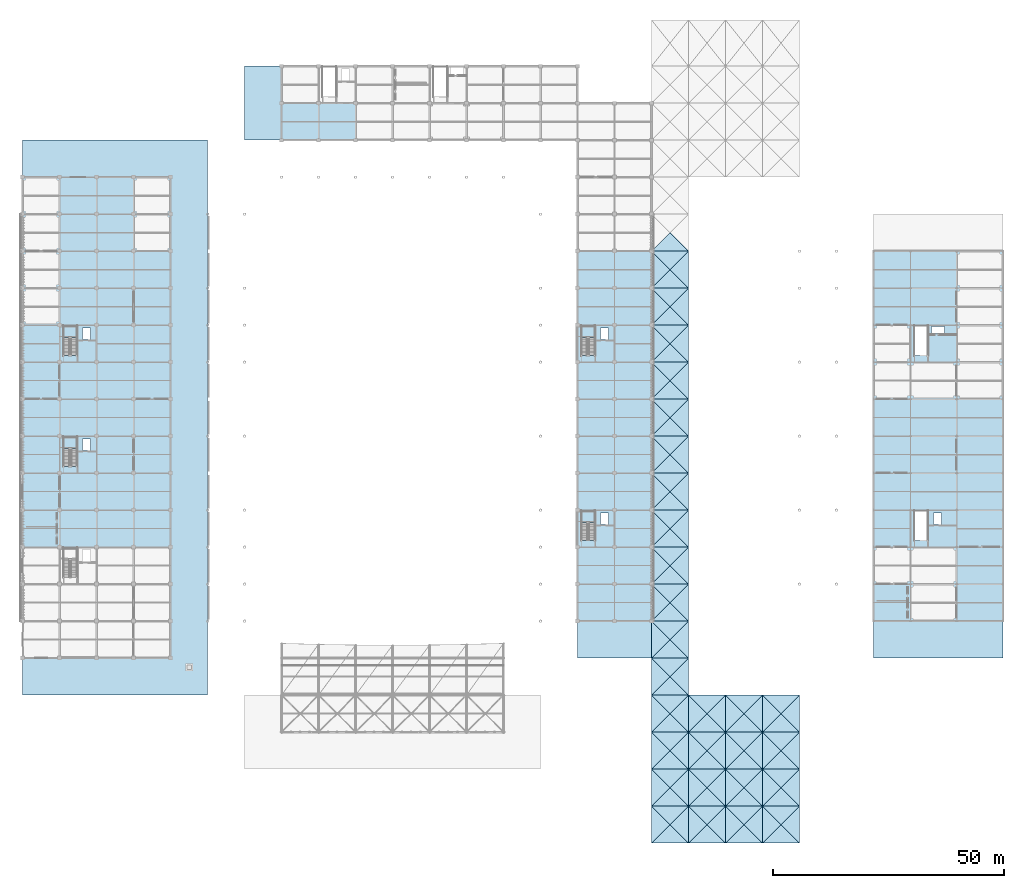
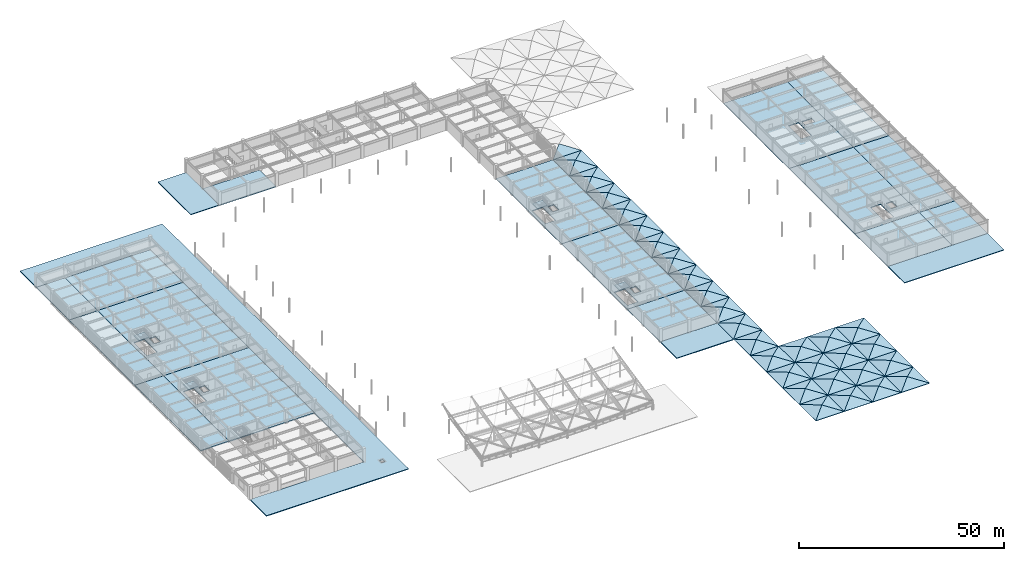
# One storey, part 44 of 78: 137 slabs, 4 elements without a shape of their own.
"""IFC4 building model written with IfcOpenShell, lengths in metres."""

from ifc_helpers import new_model, si_unit, direction, frame, origin, place, context, subcontext, project, spatial, polyline, outline, extrude, material, layer, layer_set, type_object, element, aggregate, save


model = new_model("IFC4")

# Units and contexts
model_context = context("Model", 3, precision=1e-05, world=origin(), true_north=direction((0.0, 1.0)))
body_context = subcontext(model_context, "Body", "Model", "MODEL_VIEW")
ifc_project = project(units=[si_unit("LENGTHUNIT", "METRE"), si_unit("AREAUNIT", "SQUARE_METRE"), si_unit("VOLUMEUNIT", "CUBIC_METRE"), si_unit("PLANEANGLEUNIT", "RADIAN"), si_unit("MASSUNIT", "GRAM", prefix="KILO")], contexts=[model_context])

# Site, building, storey
site_placement = place(None, origin())
site = spatial("IfcSite", under=ifc_project, at=site_placement, CompositionType="ELEMENT")
building_placement = place(site_placement, origin())
building = spatial("IfcBuilding", under=site, at=building_placement, Name="Haebicheon Civic Stadium", CompositionType="ELEMENT")
storey_placement = place(building_placement, frame((0.0, 0.0, 18.60009765625)))
storey = spatial("IfcBuildingStorey", under=building, at=storey_placement, Name="L05", CompositionType="ELEMENT", Elevation=18.60009765625)

# Slabs
ifc_material_1 = material(Name="Concrete C40/50", Category="concrete")
ifc_layer_1 = layer(ifc_material_1, 0.260009765625, Name="Concrete C40/50")
ifc_layer_set_1 = layer_set([ifc_layer_1], Name="Concrete C40/50")
slab_type_1 = type_object("IfcSlabType", Name="SLB-FLR-260", PredefinedType="FLOOR", material=ifc_layer_set_1)
slab_1_placement = place(storey_placement, frame((0.0, 0.0, -0.260009765625)))
element("IfcSlab", 1, at=slab_1_placement, inside=storey, type_object=slab_type_1, material=ifc_layer_set_1, Name="L05 V1 structural slab 2.1", PredefinedType="FLOOR", context=body_context, shape_type="SweptSolid", body=[
    extrude(outline(polyline([(24.0, 64.0), (24.0, 72.0), (24.0, 80.0), (24.0, 88.0), (24.0, 96.0), (32.0, 96.0), (32.0, 88.0), (32.0, 80.0), (32.0, 72.0), (32.0, 64.0), (24.0, 64.0)])), origin(), (0.0, 0.0, 1.0), 0.260009765625),
])
slab_2_placement = place(storey_placement, frame((0.0, 0.0, -0.260009765625)))
element("IfcSlab", 2, at=slab_2_placement, inside=storey, type_object=slab_type_1, material=ifc_layer_set_1, Name="L05 V1 structural slab 3.1", PredefinedType="FLOOR", context=body_context, shape_type="SweptSolid", body=[
    extrude(outline(polyline([(24.0, 96.0), (24.0, 104.0), (24.0, 112.0), (24.0, 120.0), (24.0, 128.0), (32.0, 128.0), (32.0, 120.0), (32.0, 112.0), (32.0, 104.0), (32.0, 96.0), (24.0, 96.0)])), origin(), (0.0, 0.0, 1.0), 0.260009765625),
])
slab_3_placement = place(storey_placement, frame((0.0, 0.0, -0.260009765625)))
element("IfcSlab", 3, at=slab_3_placement, inside=storey, type_object=slab_type_1, material=ifc_layer_set_1, Name="L05 V1 structural slab 4.1", PredefinedType="FLOOR", context=body_context, shape_type="SweptSolid", body=[
    extrude(outline(polyline([(32.0, 128.0), (24.0, 128.0), (24.0, 136.0), (24.0, 144.0), (32.0, 144.0), (32.0, 136.0), (32.0, 128.0)])), origin(), (0.0, 0.0, 1.0), 0.260009765625),
])
slab_4_placement = place(storey_placement, frame((0.0, 0.0, -0.260009765625)))
element("IfcSlab", 4, at=slab_4_placement, inside=storey, type_object=slab_type_1, material=ifc_layer_set_1, Name="L05 V1 structural slab 6.1", PredefinedType="FLOOR", context=body_context, shape_type="SweptSolid", body=[
    extrude(outline(polyline([(32.0, 80.0), (32.0, 88.0), (32.0, 96.0), (40.0, 96.0), (48.0, 96.0), (56.0, 96.0), (56.0, 88.0), (56.0, 80.0), (56.0, 72.0), (56.0, 64.0), (48.0, 64.0), (40.0, 64.0), (32.0, 64.0), (32.0, 72.0), (32.0, 80.0)]), holes=[polyline([(32.840087890625, 81.4599609375), (35.739990234375, 81.4599609375), (35.739990234375, 87.840087890625), (32.840087890625, 87.840087890625), (32.840087890625, 81.4599609375)]), polyline([(36.969970703125, 84.929931640625), (38.669921875, 84.929931640625), (38.669921875, 87.429931640625), (36.969970703125, 87.429931640625), (36.969970703125, 84.929931640625)])]), origin(), (0.0, 0.0, 1.0), 0.260009765625),
])
slab_5_placement = place(storey_placement, frame((0.0, 0.0, -0.260009765625)))
element("IfcSlab", 5, at=slab_5_placement, inside=storey, type_object=slab_type_1, material=ifc_layer_set_1, Name="L05 V1 structural slab 7.1", PredefinedType="FLOOR", context=body_context, shape_type="SweptSolid", body=[
    extrude(outline(polyline([(32.0, 112.0), (32.0, 120.0), (32.0, 128.0), (40.0, 128.0), (48.0, 128.0), (56.0, 128.0), (56.0, 120.0), (56.0, 112.0), (56.0, 104.0), (56.0, 96.0), (48.0, 96.0), (40.0, 96.0), (32.0, 96.0), (32.0, 104.0), (32.0, 112.0)]), holes=[polyline([(32.840087890625, 105.4599609375), (35.739990234375, 105.4599609375), (35.739990234375, 111.840087890625), (32.840087890625, 111.840087890625), (32.840087890625, 105.4599609375)]), polyline([(36.969970703125, 108.929931640625), (38.669921875, 108.929931640625), (38.669921875, 111.429931640625), (36.969970703125, 111.429931640625), (36.969970703125, 108.929931640625)])]), origin(), (0.0, 0.0, 1.0), 0.260009765625),
])
slab_6_placement = place(storey_placement, frame((0.0, 0.0, -0.260009765625)))
element("IfcSlab", 6, at=slab_6_placement, inside=storey, type_object=slab_type_1, material=ifc_layer_set_1, Name="L05 V1 structural slab 8.1", PredefinedType="FLOOR", context=body_context, shape_type="SweptSolid", body=[
    extrude(outline(polyline([(32.0, 136.0), (32.0, 144.0), (40.0, 144.0), (48.0, 144.0), (56.0, 144.0), (56.0, 136.0), (56.0, 128.0), (48.0, 128.0), (40.0, 128.0), (32.0, 128.0), (32.0, 136.0)])), origin(), (0.0, 0.0, 1.0), 0.260009765625),
])
slab_7_placement = place(storey_placement, frame((0.0, 0.0, -0.260009765625)))
element("IfcSlab", 7, at=slab_7_placement, inside=storey, type_object=slab_type_1, material=ifc_layer_set_1, Name="L05 V2 structural slab 1.1", PredefinedType="FLOOR", context=body_context, shape_type="SweptSolid", body=[
    extrude(outline(polyline([(80.0, 152.0), (80.0, 160.0), (88.0, 160.0), (96.0, 160.0), (96.0, 152.0), (88.0, 152.0), (80.0, 152.0)])), origin(), (0.0, 0.0, 1.0), 0.260009765625),
])
slab_8_placement = place(storey_placement, frame((0.0, 0.0, -0.260009765625)))
element("IfcSlab", 8, at=slab_8_placement, inside=storey, type_object=slab_type_1, material=ifc_layer_set_1, Name="L05 V2 structural slab 5.1", PredefinedType="FLOOR", context=body_context, shape_type="SweptSolid", body=[
    extrude(outline(polyline([(144.0, 56.0), (144.0, 64.0), (152.0, 64.0), (160.0, 64.0), (160.0, 56.0), (160.0, 48.0), (152.0, 48.0), (144.0, 48.0), (144.0, 56.0)])), origin(), (0.0, 0.0, 1.0), 0.260009765625),
])
slab_9_placement = place(storey_placement, frame((0.0, 0.0, -0.260009765625)))
element("IfcSlab", 9, at=slab_9_placement, inside=storey, type_object=slab_type_1, material=ifc_layer_set_1, Name="L05 V2 structural slab 6.1", PredefinedType="FLOOR", context=body_context, shape_type="SweptSolid", body=[
    extrude(outline(polyline([(144.0, 80.0), (144.0, 88.0), (144.0, 96.0), (152.0, 96.0), (160.0, 96.0), (160.0, 88.0), (160.0, 80.0), (160.0, 72.0), (160.0, 64.0), (152.0, 64.0), (144.0, 64.0), (144.0, 72.0), (144.0, 80.0)]), holes=[polyline([(144.840087890625, 65.4599609375), (147.739990234375, 65.4599609375), (147.739990234375, 71.840087890625), (144.840087890625, 71.840087890625), (144.840087890625, 65.4599609375)]), polyline([(148.969970703125, 68.929931640625), (150.669921875, 68.929931640625), (150.669921875, 71.429931640625), (148.969970703125, 71.429931640625), (148.969970703125, 68.929931640625)])]), origin(), (0.0, 0.0, 1.0), 0.260009765625),
])
slab_10_placement = place(storey_placement, frame((0.0, 0.0, -0.260009765625)))
element("IfcSlab", 10, at=slab_10_placement, inside=storey, type_object=slab_type_1, material=ifc_layer_set_1, Name="L05 V2 structural slab 7.1", PredefinedType="FLOOR", context=body_context, shape_type="SweptSolid", body=[
    extrude(outline(polyline([(144.0, 112.0), (144.0, 120.0), (144.0, 128.0), (152.0, 128.0), (160.0, 128.0), (160.0, 120.0), (160.0, 112.0), (160.0, 104.0), (160.0, 96.0), (152.0, 96.0), (144.0, 96.0), (144.0, 104.0), (144.0, 112.0)]), holes=[polyline([(144.840087890625, 105.4599609375), (147.739990234375, 105.4599609375), (147.739990234375, 111.840087890625), (144.840087890625, 111.840087890625), (144.840087890625, 105.4599609375)]), polyline([(148.969970703125, 108.929931640625), (150.669921875, 108.929931640625), (150.669921875, 111.429931640625), (148.969970703125, 111.429931640625), (148.969970703125, 108.929931640625)])]), origin(), (0.0, 0.0, 1.0), 0.260009765625),
])
slab_11_placement = place(storey_placement, frame((0.0, 0.0, -0.260009765625)))
element("IfcSlab", 11, at=slab_11_placement, inside=storey, type_object=slab_type_1, material=ifc_layer_set_1, Name="L05 V3 structural slab 1.1", PredefinedType="FLOOR", context=body_context, shape_type="SweptSolid", body=[
    extrude(outline(polyline([(208.0, 56.0), (208.0, 64.0), (216.0, 64.0), (226.0, 64.0), (226.0, 56.0), (226.0, 48.0), (216.0, 48.0), (208.0, 48.0), (208.0, 56.0)])), origin(), (0.0, 0.0, 1.0), 0.260009765625),
])
slab_12_placement = place(storey_placement, frame((0.0, 0.0, -0.260009765625)))
element("IfcSlab", 12, at=slab_12_placement, inside=storey, type_object=slab_type_1, material=ifc_layer_set_1, Name="L05 V3 structural slab 2.1", PredefinedType="FLOOR", context=body_context, shape_type="SweptSolid", body=[
    extrude(outline(polyline([(208.0, 80.0), (208.0, 88.0), (208.0, 96.0), (216.0, 96.0), (226.0, 96.0), (226.0, 88.0), (226.0, 80.0), (226.0, 72.0), (226.0, 64.0), (216.0, 64.0), (208.0, 64.0), (208.0, 72.0), (208.0, 80.0)]), holes=[polyline([(216.840087890625, 65.4599609375), (219.739990234375, 65.4599609375), (219.739990234375, 71.840087890625), (216.840087890625, 71.840087890625), (216.840087890625, 65.4599609375)]), polyline([(220.969970703125, 68.929931640625), (222.669921875, 68.929931640625), (222.669921875, 71.429931640625), (220.969970703125, 71.429931640625), (220.969970703125, 68.929931640625)])]), origin(), (0.0, 0.0, 1.0), 0.260009765625),
])
slab_13_placement = place(storey_placement, frame((0.0, 0.0, -0.260009765625)))
element("IfcSlab", 13, at=slab_13_placement, inside=storey, type_object=slab_type_1, material=ifc_layer_set_1, Name="L05 V3 structural slab 3.1", PredefinedType="FLOOR", context=body_context, shape_type="SweptSolid", body=[
    extrude(outline(polyline([(208.0, 112.0), (208.0, 120.0), (208.0, 128.0), (216.0, 128.0), (226.0, 128.0), (226.0, 120.0), (226.0, 112.0), (226.0, 104.0), (226.0, 96.0), (216.0, 96.0), (208.0, 96.0), (208.0, 104.0), (208.0, 112.0)]), holes=[polyline([(216.840087890625, 105.4599609375), (219.739990234375, 105.4599609375), (219.739990234375, 111.840087890625), (216.840087890625, 111.840087890625), (216.840087890625, 105.4599609375)]), polyline([(220.550048828125, 110.14990234375), (223.35009765625, 110.14990234375), (223.35009765625, 111.75), (220.550048828125, 111.75), (220.550048828125, 110.14990234375)])]), origin(), (0.0, 0.0, 1.0), 0.260009765625),
])
slab_14_placement = place(storey_placement, frame((0.0, 0.0, -0.260009765625)))
element("IfcSlab", 14, at=slab_14_placement, inside=storey, type_object=slab_type_1, material=ifc_layer_set_1, Name="L05 V3 structural slab 4.1", PredefinedType="FLOOR", context=body_context, shape_type="SweptSolid", body=[
    extrude(outline(polyline([(236.0, 48.0), (226.0, 48.0), (226.0, 56.0), (226.0, 64.0), (236.0, 64.0), (236.0, 56.0), (236.0, 48.0)])), origin(), (0.0, 0.0, 1.0), 0.260009765625),
])
slab_15_placement = place(storey_placement, frame((0.0, 0.0, -0.260009765625)))
element("IfcSlab", 15, at=slab_15_placement, inside=storey, type_object=slab_type_1, material=ifc_layer_set_1, Name="L05 V3 structural slab 5.1", PredefinedType="FLOOR", context=body_context, shape_type="SweptSolid", body=[
    extrude(outline(polyline([(226.0, 64.0), (226.0, 72.0), (226.0, 80.0), (226.0, 88.0), (226.0, 96.0), (236.0, 96.0), (236.0, 88.0), (236.0, 80.0), (236.0, 72.0), (236.0, 64.0), (226.0, 64.0)])), origin(), (0.0, 0.0, 1.0), 0.260009765625),
])
slab_16_placement = place(storey_placement, frame((0.0, 0.0, -0.260009765625)))
element("IfcSlab", 16, at=slab_16_placement, inside=storey, type_object=slab_type_1, material=ifc_layer_set_1, Name="L05 V3 structural slab 6.1", PredefinedType="FLOOR", context=body_context, shape_type="SweptSolid", body=[
    extrude(outline(polyline([(226.0, 96.0), (226.0, 104.0), (226.0, 112.0), (226.0, 120.0), (226.0, 128.0), (236.0, 128.0), (236.0, 120.0), (236.0, 112.0), (236.0, 104.0), (236.0, 96.0), (226.0, 96.0)])), origin(), (0.0, 0.0, 1.0), 0.260009765625),
])

# Stair, slab
ifc_material_2 = material(Name="Concrete C40/50", Category="concrete")
stair_type_1 = type_object("IfcStairType", Name="STR-DL-W126-H42", PredefinedType="HALF_TURN_STAIR", material=ifc_material_2)
stair_1_placement = place(storey_placement, origin())
stair_1 = element("IfcStair", 17, at=stair_1_placement, inside=storey, type_object=stair_type_1, material=ifc_material_2, Name="L05 Escape stair ST-03", PredefinedType="HALF_TURN_STAIR")
ifc_material_3 = material(Name="Concrete C40/50", Category="concrete")
ifc_layer_2 = layer(ifc_material_3, 0.199951171875, Name="Concrete C40/50")
ifc_layer_set_2 = layer_set([ifc_layer_2], Name="Concrete C40/50")
slab_type_2 = type_object("IfcSlabType", Name="SLB-LND-200", PredefinedType="LANDING", material=ifc_layer_set_2)
slab_17_placement = place(storey_placement, frame((0.0, 0.0, 1.89990234375)))
slab_17 = element("IfcSlab", 18, at=slab_17_placement, type_object=slab_type_2, material=ifc_layer_set_2, Name="ST-03 landing 1", PredefinedType="LANDING", context=body_context, shape_type="SweptSolid", body=[
    extrude(outline(polyline([(35.739990234375, 85.35009765625), (35.739990234375, 87.840087890625), (32.840087890625, 87.840087890625), (32.840087890625, 85.35009765625), (35.739990234375, 85.35009765625)])), origin(), (0.0, 0.0, 1.0), 0.199951171875),
])
aggregate(stair_1, [slab_17])

ifc_material_4 = material(Name="Concrete C40/50", Category="concrete")
stair_type_2 = type_object("IfcStairType", Name="STR-DL-W128-H42", PredefinedType="HALF_TURN_STAIR", material=ifc_material_4)
stair_2_placement = place(storey_placement, origin())
stair_2 = element("IfcStair", 19, at=stair_2_placement, inside=storey, type_object=stair_type_2, material=ifc_material_4, Name="L05 Escape stair ST-04", PredefinedType="HALF_TURN_STAIR")
slab_18_placement = place(storey_placement, frame((0.0, 0.0, 1.89990234375)))
slab_18 = element("IfcSlab", 20, at=slab_18_placement, type_object=slab_type_2, material=ifc_layer_set_2, Name="ST-04 landing 1", PredefinedType="LANDING", context=body_context, shape_type="SweptSolid", body=[
    extrude(outline(polyline([(35.739990234375, 109.35009765625), (35.739990234375, 111.840087890625), (32.840087890625, 111.840087890625), (32.840087890625, 109.35009765625), (35.739990234375, 109.35009765625)])), origin(), (0.0, 0.0, 1.0), 0.199951171875),
])
aggregate(stair_2, [slab_18])

stair_3_placement = place(storey_placement, origin())
stair_3 = element("IfcStair", 21, at=stair_3_placement, inside=storey, type_object=stair_type_2, material=ifc_material_4, Name="L05 Escape stair ST-10", PredefinedType="HALF_TURN_STAIR")
slab_19_placement = place(storey_placement, frame((0.0, 0.0, 1.89990234375)))
slab_19 = element("IfcSlab", 22, at=slab_19_placement, type_object=slab_type_2, material=ifc_layer_set_2, Name="ST-10 landing 1", PredefinedType="LANDING", context=body_context, shape_type="SweptSolid", body=[
    extrude(outline(polyline([(147.739990234375, 69.35009765625), (147.739990234375, 71.840087890625), (144.840087890625, 71.840087890625), (144.840087890625, 69.35009765625), (147.739990234375, 69.35009765625)])), origin(), (0.0, 0.0, 1.0), 0.199951171875),
])
aggregate(stair_3, [slab_19])

stair_4_placement = place(storey_placement, origin())
stair_4 = element("IfcStair", 23, at=stair_4_placement, inside=storey, type_object=stair_type_1, material=ifc_material_2, Name="L05 Escape stair ST-11", PredefinedType="HALF_TURN_STAIR")
slab_20_placement = place(storey_placement, frame((0.0, 0.0, 1.89990234375)))
slab_20 = element("IfcSlab", 24, at=slab_20_placement, type_object=slab_type_2, material=ifc_layer_set_2, Name="ST-11 landing 1", PredefinedType="LANDING", context=body_context, shape_type="SweptSolid", body=[
    extrude(outline(polyline([(147.739990234375, 109.35009765625), (147.739990234375, 111.840087890625), (144.840087890625, 111.840087890625), (144.840087890625, 109.35009765625), (147.739990234375, 109.35009765625)])), origin(), (0.0, 0.0, 1.0), 0.199951171875),
])
aggregate(stair_4, [slab_20])

# Slabs
ifc_material_5 = material(Name="Precast concrete C40/50", Category="concrete")
ifc_layer_3 = layer(ifc_material_5, 0.169921875, Name="Precast concrete C40/50")
ifc_layer_set_3 = layer_set([ifc_layer_3], Name="Precast concrete C40/50")
slab_type_3 = type_object("IfcSlabType", Name="SLB-ROOF-170", PredefinedType="ROOF", material=ifc_layer_set_3)
for number, where, z_axis, x_axis, name in (
    (25, (160.0, 0.0, 0.02001953125), (0.0, -0.21948952406, 0.97561485681), (1.0, 0.0, 0.0), "L05 V4 folded shell roof facet 1.S"),
    (26, (168.0, 0.0, 0.02001953125), (0.21948952406, 0.0, 0.97561485681), (0.0, 1.0, 0.0), "L05 V4 folded shell roof facet 1.E"),
    (27, (168.0, 8.0, 0.02001953125), (0.0, 0.21948952406, 0.97561485681), (-1.0, 0.0, 0.0), "L05 V4 folded shell roof facet 1.N"),
    (28, (160.0, 8.0, 0.02001953125), (-0.21948952406, 0.0, 0.97561485681), (0.0, -1.0, 0.0), "L05 V4 folded shell roof facet 1.W"),
    (29, (160.0, 8.0, 0.02001953125), (0.0, -0.21948952406, 0.97561485681), (1.0, 0.0, 0.0), "L05 V4 folded shell roof facet 2.S"),
    (30, (168.0, 8.0, 0.02001953125), (0.21948952406, 0.0, 0.97561485681), (0.0, 1.0, 0.0), "L05 V4 folded shell roof facet 2.E"),
    (31, (168.0, 16.0, 0.02001953125), (0.0, 0.21948952406, 0.97561485681), (-1.0, 0.0, 0.0), "L05 V4 folded shell roof facet 2.N"),
    (32, (160.0, 16.0, 0.02001953125), (-0.21948952406, 0.0, 0.97561485681), (0.0, -1.0, 0.0), "L05 V4 folded shell roof facet 2.W"),
    (33, (160.0, 16.0, 0.02001953125), (0.0, -0.21948952406, 0.97561485681), (1.0, 0.0, 0.0), "L05 V4 folded shell roof facet 3.S"),
    (34, (168.0, 16.0, 0.02001953125), (0.21948952406, 0.0, 0.97561485681), (0.0, 1.0, 0.0), "L05 V4 folded shell roof facet 3.E"),
    (35, (168.0, 24.0, 0.02001953125), (0.0, 0.21948952406, 0.97561485681), (-1.0, 0.0, 0.0), "L05 V4 folded shell roof facet 3.N"),
    (36, (160.0, 24.0, 0.02001953125), (-0.21948952406, 0.0, 0.97561485681), (0.0, -1.0, 0.0), "L05 V4 folded shell roof facet 3.W"),
    (37, (160.0, 24.0, 0.02001953125), (0.0, -0.21948952406, 0.97561485681), (1.0, 0.0, 0.0), "L05 V4 folded shell roof facet 4.S"),
    (38, (168.0, 24.0, 0.02001953125), (0.21948952406, 0.0, 0.97561485681), (0.0, 1.0, 0.0), "L05 V4 folded shell roof facet 4.E"),
    (39, (168.0, 32.0, 0.02001953125), (0.0, 0.21948952406, 0.97561485681), (-1.0, 0.0, 0.0), "L05 V4 folded shell roof facet 4.N"),
    (40, (160.0, 32.0, 0.02001953125), (-0.21948952406, 0.0, 0.97561485681), (0.0, -1.0, 0.0), "L05 V4 folded shell roof facet 4.W"),
    (41, (160.0, 32.0, 0.02001953125), (0.0, -0.21948952406, 0.97561485681), (1.0, 0.0, 0.0), "L05 V4 folded shell roof facet 5.S"),
    (42, (168.0, 32.0, 0.02001953125), (0.21948952406, 0.0, 0.97561485681), (0.0, 1.0, 0.0), "L05 V4 folded shell roof facet 5.E"),
    (43, (168.0, 40.0, 0.02001953125), (0.0, 0.21948952406, 0.97561485681), (-1.0, 0.0, 0.0), "L05 V4 folded shell roof facet 5.N"),
    (44, (160.0, 40.0, 0.02001953125), (-0.21948952406, 0.0, 0.97561485681), (0.0, -1.0, 0.0), "L05 V4 folded shell roof facet 5.W"),
    (45, (160.0, 40.0, 0.02001953125), (0.0, -0.21948952406, 0.97561485681), (1.0, 0.0, 0.0), "L05 V4 folded shell roof facet 6.S"),
    (46, (168.0, 40.0, 0.02001953125), (0.21948952406, 0.0, 0.97561485681), (0.0, 1.0, 0.0), "L05 V4 folded shell roof facet 6.E"),
    (47, (168.0, 48.0, 0.02001953125), (0.0, 0.21948952406, 0.97561485681), (-1.0, 0.0, 0.0), "L05 V4 folded shell roof facet 6.N"),
    (48, (160.0, 48.0, 0.02001953125), (-0.21948952406, 0.0, 0.97561485681), (0.0, -1.0, 0.0), "L05 V4 folded shell roof facet 6.W"),
    (49, (160.0, 48.0, 0.02001953125), (0.0, -0.21948952406, 0.97561485681), (1.0, 0.0, 0.0), "L05 V4 folded shell roof facet 7.S"),
    (50, (168.0, 48.0, 0.02001953125), (0.21948952406, 0.0, 0.97561485681), (0.0, 1.0, 0.0), "L05 V4 folded shell roof facet 7.E"),
    (51, (168.0, 56.0, 0.02001953125), (0.0, 0.21948952406, 0.97561485681), (-1.0, 0.0, 0.0), "L05 V4 folded shell roof facet 7.N"),
    (52, (160.0, 56.0, 0.02001953125), (-0.21948952406, 0.0, 0.97561485681), (0.0, -1.0, 0.0), "L05 V4 folded shell roof facet 7.W"),
    (53, (160.0, 56.0, 0.02001953125), (0.0, -0.21948952406, 0.97561485681), (1.0, 0.0, 0.0), "L05 V4 folded shell roof facet 8.S"),
    (54, (168.0, 56.0, 0.02001953125), (0.21948952406, 0.0, 0.97561485681), (0.0, 1.0, 0.0), "L05 V4 folded shell roof facet 8.E"),
    (55, (168.0, 64.0, 0.02001953125), (0.0, 0.21948952406, 0.97561485681), (-1.0, 0.0, 0.0), "L05 V4 folded shell roof facet 8.N"),
    (56, (160.0, 64.0, 0.02001953125), (-0.21948952406, 0.0, 0.97561485681), (0.0, -1.0, 0.0), "L05 V4 folded shell roof facet 8.W"),
    (57, (160.0, 64.0, 0.02001953125), (0.0, -0.21948952406, 0.97561485681), (1.0, 0.0, 0.0), "L05 V4 folded shell roof facet 9.S"),
    (58, (168.0, 64.0, 0.02001953125), (0.21948952406, 0.0, 0.97561485681), (0.0, 1.0, 0.0), "L05 V4 folded shell roof facet 9.E"),
    (59, (168.0, 72.0, 0.02001953125), (0.0, 0.21948952406, 0.97561485681), (-1.0, 0.0, 0.0), "L05 V4 folded shell roof facet 9.N"),
    (60, (160.0, 72.0, 0.02001953125), (-0.21948952406, 0.0, 0.97561485681), (0.0, -1.0, 0.0), "L05 V4 folded shell roof facet 9.W"),
    (61, (160.0, 72.0, 0.02001953125), (0.0, -0.21948952406, 0.97561485681), (1.0, 0.0, 0.0), "L05 V4 folded shell roof facet 10.S"),
    (62, (168.0, 72.0, 0.02001953125), (0.21948952406, 0.0, 0.97561485681), (0.0, 1.0, 0.0), "L05 V4 folded shell roof facet 10.E"),
    (63, (168.0, 80.0, 0.02001953125), (0.0, 0.21948952406, 0.97561485681), (-1.0, 0.0, 0.0), "L05 V4 folded shell roof facet 10.N"),
    (64, (160.0, 80.0, 0.02001953125), (-0.21948952406, 0.0, 0.97561485681), (0.0, -1.0, 0.0), "L05 V4 folded shell roof facet 10.W"),
    (65, (160.0, 80.0, 0.02001953125), (0.0, -0.21948952406, 0.97561485681), (1.0, 0.0, 0.0), "L05 V4 folded shell roof facet 11.S"),
    (66, (168.0, 80.0, 0.02001953125), (0.21948952406, 0.0, 0.97561485681), (0.0, 1.0, 0.0), "L05 V4 folded shell roof facet 11.E"),
    (67, (168.0, 88.0, 0.02001953125), (0.0, 0.21948952406, 0.97561485681), (-1.0, 0.0, 0.0), "L05 V4 folded shell roof facet 11.N"),
    (68, (160.0, 88.0, 0.02001953125), (-0.21948952406, 0.0, 0.97561485681), (0.0, -1.0, 0.0), "L05 V4 folded shell roof facet 11.W"),
    (69, (160.0, 88.0, 0.02001953125), (0.0, -0.21948952406, 0.97561485681), (1.0, 0.0, 0.0), "L05 V4 folded shell roof facet 12.S"),
    (70, (168.0, 88.0, 0.02001953125), (0.21948952406, 0.0, 0.97561485681), (0.0, 1.0, 0.0), "L05 V4 folded shell roof facet 12.E"),
    (71, (168.0, 96.0, 0.02001953125), (0.0, 0.21948952406, 0.97561485681), (-1.0, 0.0, 0.0), "L05 V4 folded shell roof facet 12.N"),
    (72, (160.0, 96.0, 0.02001953125), (-0.21948952406, 0.0, 0.97561485681), (0.0, -1.0, 0.0), "L05 V4 folded shell roof facet 12.W"),
    (73, (160.0, 96.0, 0.02001953125), (0.0, -0.21948952406, 0.97561485681), (1.0, 0.0, 0.0), "L05 V4 folded shell roof facet 13.S"),
    (74, (168.0, 96.0, 0.02001953125), (0.21948952406, 0.0, 0.97561485681), (0.0, 1.0, 0.0), "L05 V4 folded shell roof facet 13.E"),
    (75, (168.0, 104.0, 0.02001953125), (0.0, 0.21948952406, 0.97561485681), (-1.0, 0.0, 0.0), "L05 V4 folded shell roof facet 13.N"),
    (76, (160.0, 104.0, 0.02001953125), (-0.21948952406, 0.0, 0.97561485681), (0.0, -1.0, 0.0), "L05 V4 folded shell roof facet 13.W"),
    (77, (160.0, 104.0, 0.02001953125), (0.0, -0.21948952406, 0.97561485681), (1.0, 0.0, 0.0), "L05 V4 folded shell roof facet 14.S"),
    (78, (168.0, 104.0, 0.02001953125), (0.21948952406, 0.0, 0.97561485681), (0.0, 1.0, 0.0), "L05 V4 folded shell roof facet 14.E"),
    (79, (168.0, 112.0, 0.02001953125), (0.0, 0.21948952406, 0.97561485681), (-1.0, 0.0, 0.0), "L05 V4 folded shell roof facet 14.N"),
    (80, (160.0, 112.0, 0.02001953125), (-0.21948952406, 0.0, 0.97561485681), (0.0, -1.0, 0.0), "L05 V4 folded shell roof facet 14.W"),
    (81, (160.0, 112.0, 0.02001953125), (0.0, -0.21948952406, 0.97561485681), (1.0, 0.0, 0.0), "L05 V4 folded shell roof facet 15.S"),
    (82, (168.0, 112.0, 0.02001953125), (0.21948952406, 0.0, 0.97561485681), (0.0, 1.0, 0.0), "L05 V4 folded shell roof facet 15.E"),
    (83, (168.0, 120.0, 0.02001953125), (0.0, 0.21948952406, 0.97561485681), (-1.0, 0.0, 0.0), "L05 V4 folded shell roof facet 15.N"),
    (84, (160.0, 120.0, 0.02001953125), (-0.21948952406, 0.0, 0.97561485681), (0.0, -1.0, 0.0), "L05 V4 folded shell roof facet 15.W"),
    (85, (160.0, 120.0, 0.02001953125), (0.0, -0.21948952406, 0.97561485681), (1.0, 0.0, 0.0), "L05 V4 folded shell roof facet 16.S"),
    (86, (168.0, 120.0, 0.02001953125), (0.21948952406, 0.0, 0.97561485681), (0.0, 1.0, 0.0), "L05 V4 folded shell roof facet 16.E"),
    (87, (168.0, 128.0, 0.02001953125), (0.0, 0.21948952406, 0.97561485681), (-1.0, 0.0, 0.0), "L05 V4 folded shell roof facet 16.N"),
    (88, (160.0, 128.0, 0.02001953125), (-0.21948952406, 0.0, 0.97561485681), (0.0, -1.0, 0.0), "L05 V4 folded shell roof facet 16.W"),
    (89, (160.0, 128.0, 0.02001953125), (0.0, -0.21948952406, 0.97561485681), (1.0, 0.0, 0.0), "L05 V4 folded shell roof facet 17.S"),
    (90, (168.0, 0.0, 0.02001953125), (0.0, -0.21948952406, 0.97561485681), (1.0, 0.0, 0.0), "L05 V4 folded shell roof facet 23.S"),
    (91, (176.0, 0.0, 0.02001953125), (0.21948952406, 0.0, 0.97561485681), (0.0, 1.0, 0.0), "L05 V4 folded shell roof facet 23.E"),
    (92, (176.0, 8.0, 0.02001953125), (0.0, 0.21948952406, 0.97561485681), (-1.0, 0.0, 0.0), "L05 V4 folded shell roof facet 23.N"),
    (93, (168.0, 8.0, 0.02001953125), (-0.21948952406, 0.0, 0.97561485681), (0.0, -1.0, 0.0), "L05 V4 folded shell roof facet 23.W"),
    (94, (168.0, 8.0, 0.02001953125), (0.0, -0.21948952406, 0.97561485681), (1.0, 0.0, 0.0), "L05 V4 folded shell roof facet 24.S"),
    (95, (176.0, 8.0, 0.02001953125), (0.21948952406, 0.0, 0.97561485681), (0.0, 1.0, 0.0), "L05 V4 folded shell roof facet 24.E"),
    (96, (176.0, 16.0, 0.02001953125), (0.0, 0.21948952406, 0.97561485681), (-1.0, 0.0, 0.0), "L05 V4 folded shell roof facet 24.N"),
    (97, (168.0, 16.0, 0.02001953125), (-0.21948952406, 0.0, 0.97561485681), (0.0, -1.0, 0.0), "L05 V4 folded shell roof facet 24.W"),
    (98, (168.0, 16.0, 0.02001953125), (0.0, -0.21948952406, 0.97561485681), (1.0, 0.0, 0.0), "L05 V4 folded shell roof facet 25.S"),
    (99, (176.0, 16.0, 0.02001953125), (0.21948952406, 0.0, 0.97561485681), (0.0, 1.0, 0.0), "L05 V4 folded shell roof facet 25.E"),
    (100, (176.0, 24.0, 0.02001953125), (0.0, 0.21948952406, 0.97561485681), (-1.0, 0.0, 0.0), "L05 V4 folded shell roof facet 25.N"),
    (101, (168.0, 24.0, 0.02001953125), (-0.21948952406, 0.0, 0.97561485681), (0.0, -1.0, 0.0), "L05 V4 folded shell roof facet 25.W"),
    (102, (168.0, 24.0, 0.02001953125), (0.0, -0.21948952406, 0.97561485681), (1.0, 0.0, 0.0), "L05 V4 folded shell roof facet 26.S"),
    (103, (176.0, 24.0, 0.02001953125), (0.21948952406, 0.0, 0.97561485681), (0.0, 1.0, 0.0), "L05 V4 folded shell roof facet 26.E"),
    (104, (176.0, 32.0, 0.02001953125), (0.0, 0.21948952406, 0.97561485681), (-1.0, 0.0, 0.0), "L05 V4 folded shell roof facet 26.N"),
    (105, (168.0, 32.0, 0.02001953125), (-0.21948952406, 0.0, 0.97561485681), (0.0, -1.0, 0.0), "L05 V4 folded shell roof facet 26.W"),
    (106, (176.0, 0.0, 0.02001953125), (0.0, -0.21948952406, 0.97561485681), (1.0, 0.0, 0.0), "L05 V4 folded shell roof facet 31.S"),
    (107, (184.0, 0.0, 0.02001953125), (0.21948952406, 0.0, 0.97561485681), (0.0, 1.0, 0.0), "L05 V4 folded shell roof facet 31.E"),
    (108, (184.0, 8.0, 0.02001953125), (0.0, 0.21948952406, 0.97561485681), (-1.0, 0.0, 0.0), "L05 V4 folded shell roof facet 31.N"),
    (109, (176.0, 8.0, 0.02001953125), (-0.21948952406, 0.0, 0.97561485681), (0.0, -1.0, 0.0), "L05 V4 folded shell roof facet 31.W"),
    (110, (176.0, 8.0, 0.02001953125), (0.0, -0.21948952406, 0.97561485681), (1.0, 0.0, 0.0), "L05 V4 folded shell roof facet 32.S"),
    (111, (184.0, 8.0, 0.02001953125), (0.21948952406, 0.0, 0.97561485681), (0.0, 1.0, 0.0), "L05 V4 folded shell roof facet 32.E"),
    (112, (184.0, 16.0, 0.02001953125), (0.0, 0.21948952406, 0.97561485681), (-1.0, 0.0, 0.0), "L05 V4 folded shell roof facet 32.N"),
    (113, (176.0, 16.0, 0.02001953125), (-0.21948952406, 0.0, 0.97561485681), (0.0, -1.0, 0.0), "L05 V4 folded shell roof facet 32.W"),
    (114, (176.0, 16.0, 0.02001953125), (0.0, -0.21948952406, 0.97561485681), (1.0, 0.0, 0.0), "L05 V4 folded shell roof facet 33.S"),
    (115, (184.0, 16.0, 0.02001953125), (0.21948952406, 0.0, 0.97561485681), (0.0, 1.0, 0.0), "L05 V4 folded shell roof facet 33.E"),
    (116, (184.0, 24.0, 0.02001953125), (0.0, 0.21948952406, 0.97561485681), (-1.0, 0.0, 0.0), "L05 V4 folded shell roof facet 33.N"),
    (117, (176.0, 24.0, 0.02001953125), (-0.21948952406, 0.0, 0.97561485681), (0.0, -1.0, 0.0), "L05 V4 folded shell roof facet 33.W"),
    (118, (176.0, 24.0, 0.02001953125), (0.0, -0.21948952406, 0.97561485681), (1.0, 0.0, 0.0), "L05 V4 folded shell roof facet 34.S"),
    (119, (184.0, 24.0, 0.02001953125), (0.21948952406, 0.0, 0.97561485681), (0.0, 1.0, 0.0), "L05 V4 folded shell roof facet 34.E"),
    (120, (184.0, 32.0, 0.02001953125), (0.0, 0.21948952406, 0.97561485681), (-1.0, 0.0, 0.0), "L05 V4 folded shell roof facet 34.N"),
    (121, (176.0, 32.0, 0.02001953125), (-0.21948952406, 0.0, 0.97561485681), (0.0, -1.0, 0.0), "L05 V4 folded shell roof facet 34.W"),
    (122, (184.0, 0.0, 0.02001953125), (0.0, -0.21948952406, 0.97561485681), (1.0, 0.0, 0.0), "L05 V4 folded shell roof facet 39.S"),
    (123, (192.0, 0.0, 0.02001953125), (0.21948952406, 0.0, 0.97561485681), (0.0, 1.0, 0.0), "L05 V4 folded shell roof facet 39.E"),
    (124, (192.0, 8.0, 0.02001953125), (0.0, 0.21948952406, 0.97561485681), (-1.0, 0.0, 0.0), "L05 V4 folded shell roof facet 39.N"),
    (125, (184.0, 8.0, 0.02001953125), (-0.21948952406, 0.0, 0.97561485681), (0.0, -1.0, 0.0), "L05 V4 folded shell roof facet 39.W"),
    (126, (184.0, 8.0, 0.02001953125), (0.0, -0.21948952406, 0.97561485681), (1.0, 0.0, 0.0), "L05 V4 folded shell roof facet 40.S"),
    (127, (192.0, 8.0, 0.02001953125), (0.21948952406, 0.0, 0.97561485681), (0.0, 1.0, 0.0), "L05 V4 folded shell roof facet 40.E"),
    (128, (192.0, 16.0, 0.02001953125), (0.0, 0.21948952406, 0.97561485681), (-1.0, 0.0, 0.0), "L05 V4 folded shell roof facet 40.N"),
    (129, (184.0, 16.0, 0.02001953125), (-0.21948952406, 0.0, 0.97561485681), (0.0, -1.0, 0.0), "L05 V4 folded shell roof facet 40.W"),
    (130, (184.0, 16.0, 0.02001953125), (0.0, -0.21948952406, 0.97561485681), (1.0, 0.0, 0.0), "L05 V4 folded shell roof facet 41.S"),
    (131, (192.0, 16.0, 0.02001953125), (0.21948952406, 0.0, 0.97561485681), (0.0, 1.0, 0.0), "L05 V4 folded shell roof facet 41.E"),
    (132, (192.0, 24.0, 0.02001953125), (0.0, 0.21948952406, 0.97561485681), (-1.0, 0.0, 0.0), "L05 V4 folded shell roof facet 41.N"),
    (133, (184.0, 24.0, 0.02001953125), (-0.21948952406, 0.0, 0.97561485681), (0.0, -1.0, 0.0), "L05 V4 folded shell roof facet 41.W"),
    (134, (184.0, 24.0, 0.02001953125), (0.0, -0.21948952406, 0.97561485681), (1.0, 0.0, 0.0), "L05 V4 folded shell roof facet 42.S"),
    (135, (192.0, 24.0, 0.02001953125), (0.21948952406, 0.0, 0.97561485681), (0.0, 1.0, 0.0), "L05 V4 folded shell roof facet 42.E"),
    (136, (192.0, 32.0, 0.02001953125), (0.0, 0.21948952406, 0.97561485681), (-1.0, 0.0, 0.0), "L05 V4 folded shell roof facet 42.N"),
    (137, (184.0, 32.0, 0.02001953125), (-0.21948952406, 0.0, 0.97561485681), (0.0, -1.0, 0.0), "L05 V4 folded shell roof facet 42.W"),
):
    element("IfcSlab", number, at=place(storey_placement, frame(where, z_axis=z_axis, x_axis=x_axis)), inside=storey, type_object=slab_type_3, material=ifc_layer_set_3, Name=name, PredefinedType="ROOF", context=body_context, shape_type="SweptSolid", body=[
        extrude(outline(polyline([(0.0, 0.0), (8.0, 0.0), (4.0, 4.099978564369178), (0.0, 0.0)])), origin(), (0.0, 0.0, -1.0), 0.169921875),
    ])
ifc_material_6 = material(Name="Concrete C40/50", Category="concrete")
ifc_layer_4 = layer(ifc_material_6, 0.18994140625, Name="Concrete C40/50")
ifc_layer_set_4 = layer_set([ifc_layer_4], Name="Concrete C40/50")
slab_type_4 = type_object("IfcSlabType", Name="SLB-ROOF-190", PredefinedType="ROOF", material=ifc_layer_set_4)
slab_21_placement = place(storey_placement, frame((0.0, 0.0, -0.190185546875)))
element("IfcSlab", 138, at=slab_21_placement, inside=storey, type_object=slab_type_4, material=ifc_layer_set_4, Name="L05 V3 roof deck slab 1", PredefinedType="ROOF", context=body_context, shape_type="SweptSolid", body=[
    extrude(outline(polyline([(208.0, 48.0), (236.0, 48.0), (236.0, 40.0), (208.0, 40.0), (208.0, 48.0)])), origin(), (0.0, 0.0, 1.0), 0.190185546875),
])
ifc_material_7 = material(Name="Concrete C40/50", Category="concrete")
ifc_layer_5 = layer(ifc_material_7, 0.219970703125, Name="Concrete C40/50")
ifc_layer_set_5 = layer_set([ifc_layer_5], Name="Concrete C40/50")
slab_type_5 = type_object("IfcSlabType", Name="SLB-ROOF-220", PredefinedType="ROOF", material=ifc_layer_set_5)
slab_22_placement = place(storey_placement, frame((0.0, 0.0, -0.22021484375)))
element("IfcSlab", 139, at=slab_22_placement, inside=storey, type_object=slab_type_5, material=ifc_layer_set_5, Name="L05 V1 roof deck slab 1", PredefinedType="ROOF", context=body_context, shape_type="SweptSolid", body=[
    extrude(outline(polyline([(24.0, 40.0), (56.0, 40.0), (56.0, 144.0), (24.0, 144.0), (24.0, 152.0), (64.0, 152.0), (64.0, 32.0), (24.0, 32.0), (24.0, 40.0)]), holes=[polyline([(59.5, 37.5), (60.5, 37.5), (60.5, 38.5), (59.5, 38.5), (59.5, 37.5)])]), origin(), (0.0, 0.0, 1.0), 0.22021484375),
])
slab_23_placement = place(storey_placement, frame((0.0, 0.0, -0.22021484375)))
element("IfcSlab", 140, at=slab_23_placement, inside=storey, type_object=slab_type_5, material=ifc_layer_set_5, Name="L05 V2 roof deck slab 2", PredefinedType="ROOF", context=body_context, shape_type="SweptSolid", body=[
    extrude(outline(polyline([(80.0, 168.0), (80.0, 152.0), (72.0, 152.0), (72.0, 168.0), (80.0, 168.0)])), origin(), (0.0, 0.0, 1.0), 0.22021484375),
])
slab_24_placement = place(storey_placement, frame((0.0, 0.0, -0.22021484375)))
element("IfcSlab", 141, at=slab_24_placement, inside=storey, type_object=slab_type_5, material=ifc_layer_set_5, Name="L05 V2 roof deck slab 3", PredefinedType="ROOF", context=body_context, shape_type="SweptSolid", body=[
    extrude(outline(polyline([(160.0, 40.0), (144.0, 40.0), (144.0, 48.0), (160.0, 48.0), (160.0, 40.0)])), origin(), (0.0, 0.0, 1.0), 0.22021484375),
])

save(model, "model.ifc")
